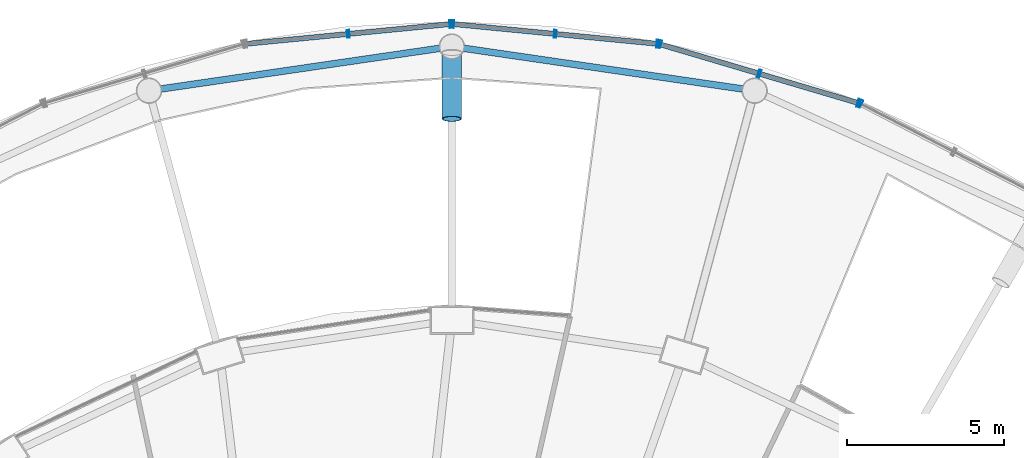
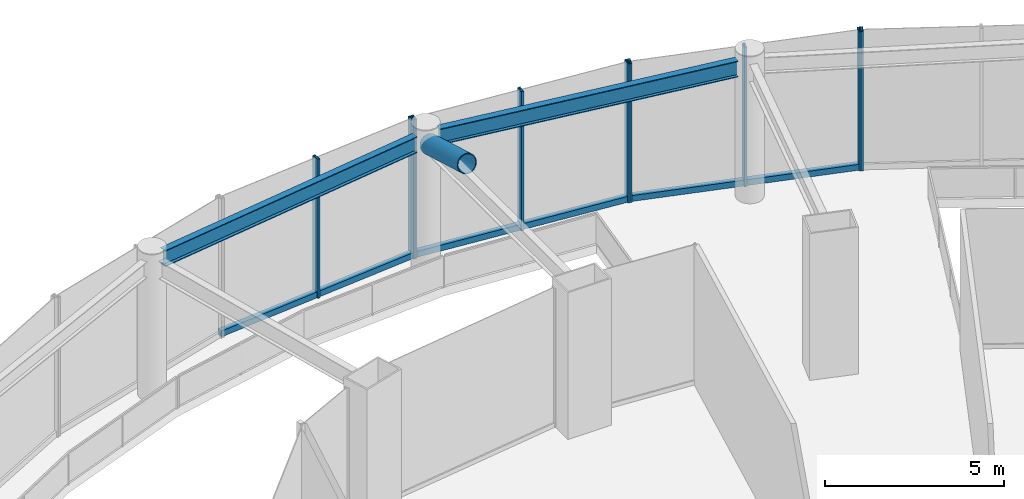
# One storey, part 39 of 52: 13 members, 2 beams, 4 elements without a shape of their own.
"""IFC4 building model written with IfcOpenShell, lengths in metres."""

import ifcopenshell
import ifcopenshell.guid

model = None  # the IFC model being written
_history = None  # IfcOwnerHistory: only IFC2X3 demands one
_inside = {}  # id of a spatial element -> (the spatial element, [elements in it])
_under = {}  # id of a project, library or spatial element -> (it, [spatial elements below it])
_declared = {}  # id of a project -> (the project, [libraries it declares])
_typed = {}  # id of a type object -> (the type object, [elements of that type])
_made_of = {}  # id of a material, layer set ... -> (it, [elements and type objects made of it])


def new_model(schema):
    """Start an empty IFC model of exactly this schema.

    Asked for "IFC4X3", IfcOpenShell would pick the latest addendum, in which some entities
    have other attributes; the version numbers below select the first issue.
    IFC2X3 requires an IfcOwnerHistory on every rooted entity: one is made here for all.
    """
    global model, _history
    if schema == "IFC4X3":
        model = ifcopenshell.file(schema_version=(4, 3, 0, 0))
    else:
        model = ifcopenshell.file(schema=schema)
    _inside.clear()
    _under.clear()
    _declared.clear()
    _typed.clear()
    _made_of.clear()
    _history = None
    if model.schema == "IFC2X3":
        org = make("IfcOrganization", Name="unknown")
        user = make(
            "IfcPersonAndOrganization",
            ThePerson=make("IfcPerson", FamilyName="unknown"),
            TheOrganization=org,
        )
        app = make(
            "IfcApplication",
            ApplicationDeveloper=org,
            Version="unknown",
            ApplicationFullName="unknown",
            ApplicationIdentifier="unknown",
        )
        _history = make(
            "IfcOwnerHistory",
            OwningUser=user,
            OwningApplication=app,
            ChangeAction="ADDED",
            CreationDate=0,
        )
    return model


def make(cls, **values):
    """One entity of the class cls with the attributes given. An attribute that is None is left unset."""
    return model.create_entity(
        cls, **{name: value for name, value in values.items() if value is not None}
    )


def rooted(cls, **values):
    """An entity with a GlobalId (a new one), such as an element, a storey or a relation."""
    return make(cls, GlobalId=ifcopenshell.guid.new(), OwnerHistory=_history, **values)


def si_unit(unit_type, name, prefix=None):
    """IfcSIUnit, for example si_unit("LENGTHUNIT", "METRE", prefix="MILLI")."""
    return make("IfcSIUnit", UnitType=unit_type, Prefix=prefix, Name=name)


def assignment(units):
    """IfcUnitAssignment: the units of a project."""
    return None if units is None else make("IfcUnitAssignment", Units=units)


def point(xyz):
    """IfcCartesianPoint."""
    return None if xyz is None else make("IfcCartesianPoint", Coordinates=xyz)


def direction(xyz):
    """IfcDirection."""
    return None if xyz is None else make("IfcDirection", DirectionRatios=xyz)


def frame(location, z_axis=None, x_axis=None):
    """IfcAxis2Placement3D, a coordinate frame: its origin and axes. An axis left out is left unset."""
    return make(
        "IfcAxis2Placement3D",
        Location=point(location),
        Axis=direction(z_axis),
        RefDirection=direction(x_axis),
    )


def frame_2d(location, x_axis=None):
    """IfcAxis2Placement2D, a coordinate frame in the plane: its origin and x axis."""
    return make(
        "IfcAxis2Placement2D", Location=point(location), RefDirection=direction(x_axis)
    )


def origin():
    """The frame at (0, 0, 0) with its axes left unset."""
    return frame((0.0, 0.0, 0.0))


def origin_2d():
    """The frame at (0, 0) in the plane with its x axis left unset."""
    return frame_2d((0.0, 0.0))


def place(relative_to, where):
    """IfcLocalPlacement: puts the frame where relative to a parent placement (None: the world)."""
    return make(
        "IfcLocalPlacement", PlacementRelTo=relative_to, RelativePlacement=where
    )


def context(
    kind, dimensions, precision=None, world=None, true_north=None, identifier=None
):
    """IfcGeometricRepresentationContext, for example the 3D "Model" context."""
    return make(
        "IfcGeometricRepresentationContext",
        ContextIdentifier=identifier,
        ContextType=kind,
        CoordinateSpaceDimension=dimensions,
        Precision=precision,
        WorldCoordinateSystem=world,
        TrueNorth=true_north,
    )


def subcontext(parent, identifier, kind, view, scale=None):
    """IfcGeometricRepresentationSubContext, for example "Body" below "Model"."""
    return make(
        "IfcGeometricRepresentationSubContext",
        ContextIdentifier=identifier,
        ContextType=kind,
        ParentContext=parent,
        TargetScale=scale,
        TargetView=view,
    )


def project(units=None, contexts=None):
    """IfcProject with its units and contexts."""
    return rooted(
        "IfcProject",
        Name="project",
        RepresentationContexts=contexts,
        UnitsInContext=assignment(units),
    )


def spatial(cls, under=None, at=None, **own):
    """A site, building, storey or space (cls), placed at a placement, below another one or the project."""
    s = rooted(cls, ObjectPlacement=at, **own)
    if under is not None:
        _under.setdefault(under.id(), (under, []))[1].append(s)
    return s


def profile(cls, at=None, kind="AREA", **sizes):
    """A parametric profile (cls). Its sizes go by their IFC names, for example OverallWidth=200.0."""
    return make(cls, ProfileType=kind, Position=at, **sizes)


def hollow_rectangle(**sizes):
    """IfcRectangleHollowProfileDef."""
    return profile("IfcRectangleHollowProfileDef", **sizes)


def hollow_circle(**sizes):
    """IfcCircleHollowProfileDef."""
    return profile("IfcCircleHollowProfileDef", **sizes)


def i_section(**sizes):
    """IfcIShapeProfileDef."""
    return profile("IfcIShapeProfileDef", **sizes)


def extrude(swept, where, along, depth):
    """IfcExtrudedAreaSolid: the profile swept, set in the frame where, extruded along a direction by depth."""
    return make(
        "IfcExtrudedAreaSolid",
        SweptArea=swept,
        Position=where,
        ExtrudedDirection=direction(along),
        Depth=depth,
    )


def shape(context_of_items, identifier, shape_type, items):
    """IfcShapeRepresentation: the items that make up one representation, for example the "Body"."""
    return make(
        "IfcShapeRepresentation",
        ContextOfItems=context_of_items,
        RepresentationIdentifier=identifier,
        RepresentationType=shape_type,
        Items=items,
    )


def material(Name=None, Category=None):
    """IfcMaterial."""
    return make("IfcMaterial", Name=Name, Category=Category)


def layer(
    of_material, thickness, ventilated=None, Name=None, Category=None, Priority=None
):
    """IfcMaterialLayer: one layer of a wall or slab, of a material (None: an air gap)."""
    return make(
        "IfcMaterialLayer",
        Material=of_material,
        LayerThickness=thickness,
        IsVentilated=ventilated,
        Name=Name,
        Category=Category,
        Priority=Priority,
    )


def layer_set(layers, Name=None):
    """IfcMaterialLayerSet."""
    return make("IfcMaterialLayerSet", MaterialLayers=layers, LayerSetName=Name)


def material_profile(
    of_material, cross_section, Name=None, Category=None, Priority=None
):
    """IfcMaterialProfile: a cross section and its material."""
    return make(
        "IfcMaterialProfile",
        Name=Name,
        Material=of_material,
        Profile=cross_section,
        Priority=Priority,
        Category=Category,
    )


def profile_set(profiles, Name=None, composite=None):
    """IfcMaterialProfileSet."""
    return make(
        "IfcMaterialProfileSet",
        Name=Name,
        MaterialProfiles=profiles,
        CompositeProfile=composite,
    )


def made_of(thing, what):
    """Note that an element or type object is made of a material, layer set ...; save() writes the relation."""
    if what is not None:
        _made_of.setdefault(what.id(), (what, []))[1].append(thing)
    return thing


def type_object(cls, material=None, **own):
    """A type object (cls), such as IfcWallType, which elements share."""
    return made_of(rooted(cls, **own), material)


def element(
    cls,
    number,
    at=None,
    inside=None,
    cuts=None,
    type_object=None,
    material=None,
    context=None,
    identifier="Body",
    shape_type=None,
    held_by="IfcProductDefinitionShape",
    body=None,
    shapes=None,
    **own,
):
    """One element of the class cls, such as IfcWall. Its Tag is "e" and its number.

    at: its placement. inside: the storey or other place that contains it. cuts: it is an
    opening in that element (IfcRelVoidsElement). A single representation is given by context,
    identifier, shape_type and body (its items); several are given by shapes. held_by: the class
    of the entity that holds the representations. save() writes the other relations.
    """
    e = rooted(cls, Tag="e%d" % number, ObjectPlacement=at, **own)
    if body is not None:
        shapes = [shape(context, identifier, shape_type, body)]
    if shapes is not None:
        e.Representation = make(held_by, Representations=shapes)
    if inside is not None:
        _inside.setdefault(inside.id(), (inside, []))[1].append(e)
    if cuts is not None:
        rooted(
            "IfcRelVoidsElement", RelatingBuildingElement=cuts, RelatedOpeningElement=e
        )
    if type_object is not None:
        _typed.setdefault(type_object.id(), (type_object, []))[1].append(e)
    return made_of(e, material)


def aggregate(whole, parts):
    """IfcRelAggregates: a whole, such as a stair, and the parts it consists of."""
    return rooted("IfcRelAggregates", RelatingObject=whole, RelatedObjects=parts)


def save(model, path):
    """Write the relations noted so far, then the file.

    IfcRelAggregates (storeys below a building ...), IfcRelContainedInSpatialStructure (elements
    in a storey), IfcRelDefinesByType, IfcRelAssociatesMaterial and IfcRelDeclares: one each for
    every whole, place, type object, material and project.
    """
    for whole, parts in _under.values():
        aggregate(whole, parts)
    for where, things in _inside.values():
        rooted(
            "IfcRelContainedInSpatialStructure",
            RelatedElements=things,
            RelatingStructure=where,
        )
    for kind, things in _typed.values():
        rooted("IfcRelDefinesByType", RelatedObjects=things, RelatingType=kind)
    for what, things in _made_of.values():
        rooted("IfcRelAssociatesMaterial", RelatedObjects=things, RelatingMaterial=what)
    for by, libraries in _declared.values():
        rooted("IfcRelDeclares", RelatingContext=by, RelatedDefinitions=libraries)
    model.write(path)


model = new_model("IFC4")

# Units and contexts
model_context = context("Model", 3, precision=1e-05, world=origin(), true_north=direction((0.0, 1.0)))
body_context = subcontext(model_context, "Body", "Model", "MODEL_VIEW")
ifc_project = project(units=[si_unit("LENGTHUNIT", "METRE"), si_unit("AREAUNIT", "SQUARE_METRE"), si_unit("VOLUMEUNIT", "CUBIC_METRE"), si_unit("PLANEANGLEUNIT", "RADIAN"), si_unit("MASSUNIT", "GRAM", prefix="KILO")], contexts=[model_context])

# Site, building, storey
site_placement = place(None, origin())
site = spatial("IfcSite", under=ifc_project, at=site_placement, CompositionType="ELEMENT")
building_placement = place(site_placement, origin())
building = spatial("IfcBuilding", under=site, at=building_placement, Name="Nagisa Residences", CompositionType="ELEMENT")
storey_placement = place(building_placement, frame((0.0, 0.0, 22.0)))
storey = spatial("IfcBuildingStorey", under=building, at=storey_placement, Name="L04", CompositionType="ELEMENT", Elevation=22.0)

# Beams
ifc_material_1 = material(Name="Steel ASTM A572 Gr 50", Category="steel")
ifc_material_profile_1 = material_profile(ifc_material_1, i_section(OverallWidth=0.214111328125, OverallDepth=0.549072265625, WebThickness=0.0146484375, FlangeThickness=0.023681640625, at=origin_2d()), Name="W530x138")
ifc_profile_set_1 = profile_set([ifc_material_profile_1], Name="Steel ASTM A572 Gr 50")
beam_type = type_object("IfcBeamType", Name="Atrium ring beam W530x138", PredefinedType="BEAM", material=ifc_profile_set_1)
beam_1_placement = place(storey_placement, frame((12.845703125, 39.851806640625, 4.4755859375), z_axis=(-0.989534278419, 0.144297996638, 0.0), x_axis=(-0.144297996638, -0.989534278419, 0.0)))
element("IfcBeam", 1, at=beam_1_placement, inside=storey, type_object=beam_type, Name="beam:L04:rab06", PredefinedType="BEAM", context=body_context, shape_type="SweptSolid", body=[
    extrude(i_section(OverallWidth=0.214111328125, OverallDepth=0.549072265625, WebThickness=0.0146484375, FlangeThickness=0.023681640625, at=origin_2d()), origin(), (0.0, 0.0, 1.0), 8.95703125),
])
beam_2_placement = place(storey_placement, frame((3.217529296875, 41.144287109375, 4.4755859375), z_axis=(-0.989533710855, -0.144301888694, 0.0), x_axis=(0.144301888694, -0.989533710855, 0.0)))
element("IfcBeam", 2, at=beam_2_placement, inside=storey, type_object=beam_type, Name="beam:L04:rab07", PredefinedType="BEAM", context=body_context, shape_type="SweptSolid", body=[
    extrude(i_section(OverallWidth=0.214111328125, OverallDepth=0.549072265625, WebThickness=0.0146484375, FlangeThickness=0.023681640625, at=origin_2d()), origin(), (0.0, 0.0, 1.0), 8.956787109375),
])

# Curtain wall, member
ifc_material_2 = material(Name="Stainless steel curtain wall system", Category="steel")
ifc_layer = layer(ifc_material_2, 0.159912109375)
ifc_layer_set = layer_set([ifc_layer], Name="CW3 CURTAIN WALL")
curtain_wall_type = type_object("IfcCurtainWallType", Name="CW3 CURTAIN WALL", PredefinedType="NOTDEFINED", material=ifc_layer_set)
curtain_wall_1_placement = place(storey_placement, origin())
curtain_wall_1 = element("IfcCurtainWall", 3, at=curtain_wall_1_placement, inside=storey, type_object=curtain_wall_type, Name="cw:CW3:L04:06", PredefinedType="NOTDEFINED")
ifc_material_3 = material(Name="Stainless steel", Category="steel")
ifc_material_profile_2 = material_profile(ifc_material_3, hollow_rectangle(XDim=0.25, YDim=0.080078125, WallThickness=0.008056640625, at=origin_2d()), Name="CW3 MULLION 250x80")
ifc_profile_set_2 = profile_set([ifc_material_profile_2], Name="Stainless steel")
member_type_1 = type_object("IfcMemberType", Name="CW3 MULLION 250x80", PredefinedType="MULLION", material=ifc_profile_set_2)
member_1_placement = place(storey_placement, frame((16.595703125, 39.377685546875, 0.0), z_axis=(0.0, 0.0, 1.0), x_axis=(-0.45812598783, -0.888887270285, 0.0)))
member_1 = element("IfcMember", 4, at=member_1_placement, type_object=member_type_1, Name="CW3 mullion", PredefinedType="MULLION", context=body_context, shape_type="SweptSolid", body=[
    extrude(hollow_rectangle(XDim=0.25, YDim=0.080078125, WallThickness=0.008056640625, at=origin_2d()), origin(), (0.0, 0.0, 1.0), 4.739990234375),
])
aggregate(curtain_wall_1, [member_1])

# Curtain wall, members
curtain_wall_2_placement = place(storey_placement, origin())
curtain_wall_2 = element("IfcCurtainWall", 5, at=curtain_wall_2_placement, inside=storey, type_object=curtain_wall_type, Name="cw:CW3:L04:07", PredefinedType="NOTDEFINED")
member_2_placement = place(storey_placement, frame((16.53564453125, 39.40185546875, 0.0), z_axis=(0.0, 0.0, 1.0), x_axis=(-0.283963226669, -0.958835171393, 0.0)))
member_2 = element("IfcMember", 6, at=member_2_placement, type_object=member_type_1, Name="CW3 mullion", PredefinedType="MULLION", context=body_context, shape_type="SweptSolid", body=[
    extrude(hollow_rectangle(XDim=0.25, YDim=0.080078125, WallThickness=0.008056640625, at=origin_2d()), origin(), (0.0, 0.0, 1.0), 4.739990234375),
])
member_3_placement = place(storey_placement, frame((13.375, 40.337890625, 0.0), z_axis=(0.0, 0.0, 1.0), x_axis=(-0.283963226669, -0.958835171393, 0.0)))
member_3 = element("IfcMember", 7, at=member_3_placement, type_object=member_type_1, Name="CW3 mullion", PredefinedType="MULLION", context=body_context, shape_type="SweptSolid", body=[
    extrude(hollow_rectangle(XDim=0.25, YDim=0.080078125, WallThickness=0.008056640625, at=origin_2d()), origin(), (0.0, 0.0, 1.0), 4.739990234375),
])
member_4_placement = place(storey_placement, frame((10.21435546875, 41.27392578125, 0.0), z_axis=(0.0, 0.0, 1.0), x_axis=(-0.283963226669, -0.958835171393, 0.0)))
member_4 = element("IfcMember", 8, at=member_4_placement, type_object=member_type_1, Name="CW3 mullion", PredefinedType="MULLION", context=body_context, shape_type="SweptSolid", body=[
    extrude(hollow_rectangle(XDim=0.25, YDim=0.080078125, WallThickness=0.008056640625, at=origin_2d()), origin(), (0.0, 0.0, 1.0), 4.739990234375),
])

curtain_wall_3_placement = place(storey_placement, origin())
curtain_wall_3 = element("IfcCurtainWall", 9, at=curtain_wall_3_placement, inside=storey, type_object=curtain_wall_type, Name="cw:CW3:L04:08", PredefinedType="NOTDEFINED")
member_5_placement = place(storey_placement, frame((10.151123046875, 41.2861328125, 0.0), z_axis=(0.0, 0.0, 1.0), x_axis=(-0.096249055035, -0.995357282289, 0.0)))
member_5 = element("IfcMember", 10, at=member_5_placement, type_object=member_type_1, Name="CW3 mullion", PredefinedType="MULLION", context=body_context, shape_type="SweptSolid", body=[
    extrude(hollow_rectangle(XDim=0.25, YDim=0.080078125, WallThickness=0.008056640625, at=origin_2d()), origin(), (0.0, 0.0, 1.0), 4.739990234375),
])
member_6_placement = place(storey_placement, frame((6.8916015625, 41.601318359375, 0.0), z_axis=(0.0, 0.0, 1.0), x_axis=(-0.096249055035, -0.995357282289, 0.0)))
member_6 = element("IfcMember", 11, at=member_6_placement, type_object=member_type_1, Name="CW3 mullion", PredefinedType="MULLION", context=body_context, shape_type="SweptSolid", body=[
    extrude(hollow_rectangle(XDim=0.25, YDim=0.080078125, WallThickness=0.008056640625, at=origin_2d()), origin(), (0.0, 0.0, 1.0), 4.739990234375),
])
member_7_placement = place(storey_placement, frame((3.632080078125, 41.91650390625, 0.0), z_axis=(0.0, 0.0, 1.0), x_axis=(-0.096249055035, -0.995357282289, 0.0)))
member_7 = element("IfcMember", 12, at=member_7_placement, type_object=member_type_1, Name="CW3 mullion", PredefinedType="MULLION", context=body_context, shape_type="SweptSolid", body=[
    extrude(hollow_rectangle(XDim=0.25, YDim=0.080078125, WallThickness=0.008056640625, at=origin_2d()), origin(), (0.0, 0.0, 1.0), 4.739990234375),
])

curtain_wall_4_placement = place(storey_placement, origin())
curtain_wall_4 = element("IfcCurtainWall", 13, at=curtain_wall_4_placement, inside=storey, type_object=curtain_wall_type, Name="cw:CW3:L04:09", PredefinedType="NOTDEFINED")
member_8_placement = place(storey_placement, frame((3.56787109375, 41.91650390625, 0.0), z_axis=(0.0, 0.0, 1.0), x_axis=(0.096249055035, -0.995357282289, 0.0)))
member_8 = element("IfcMember", 14, at=member_8_placement, type_object=member_type_1, Name="CW3 mullion", PredefinedType="MULLION", context=body_context, shape_type="SweptSolid", body=[
    extrude(hollow_rectangle(XDim=0.25, YDim=0.080078125, WallThickness=0.008056640625, at=origin_2d()), origin(), (0.0, 0.0, 1.0), 4.739990234375),
])
member_9_placement = place(storey_placement, frame((0.308349609375, 41.601318359375, 0.0), z_axis=(0.0, 0.0, 1.0), x_axis=(0.096249055035, -0.995357282289, 0.0)))
member_9 = element("IfcMember", 15, at=member_9_placement, type_object=member_type_1, Name="CW3 mullion", PredefinedType="MULLION", context=body_context, shape_type="SweptSolid", body=[
    extrude(hollow_rectangle(XDim=0.25, YDim=0.080078125, WallThickness=0.008056640625, at=origin_2d()), origin(), (0.0, 0.0, 1.0), 4.739990234375),
])

# Member
ifc_material_4 = material(Name="Stainless steel", Category="steel")
ifc_material_profile_3 = material_profile(ifc_material_4, hollow_rectangle(XDim=0.159912109375, YDim=0.199951171875, WallThickness=0.008056640625, at=origin_2d()), Name="CW3 TRANSOM 160x200")
ifc_profile_set_3 = profile_set([ifc_material_profile_3], Name="Stainless steel")
member_type_2 = type_object("IfcMemberType", Name="CW3 TRANSOM 160x200", PredefinedType="USERDEFINED", material=ifc_profile_set_3)
member_10_placement = place(storey_placement, frame((16.573974609375, 39.390380859375, 0.10009765625), z_axis=(-0.958835384932, 0.283962505627, 0.0), x_axis=(-0.283962505627, -0.958835384932, 0.0)))
member_10 = element("IfcMember", 16, at=member_10_placement, type_object=member_type_2, Name="CW3 transom", ObjectType="TRANSOM", PredefinedType="USERDEFINED", context=body_context, shape_type="SweptSolid", body=[
    extrude(hollow_rectangle(XDim=0.159912109375, YDim=0.199951171875, WallThickness=0.008056640625, at=origin_2d()), origin(), (0.0, 0.0, 1.0), 6.672607421875),
])

aggregate(curtain_wall_2, [member_2, member_3, member_4, member_10])

member_11_placement = place(storey_placement, frame((10.19091796875, 41.2822265625, 0.10009765625), z_axis=(-0.995355706687, 0.096265347687, 0.0), x_axis=(-0.096265347687, -0.995355706687, 0.0)))
member_11 = element("IfcMember", 17, at=member_11_placement, type_object=member_type_2, Name="CW3 transom", ObjectType="TRANSOM", PredefinedType="USERDEFINED", context=body_context, shape_type="SweptSolid", body=[
    extrude(hollow_rectangle(XDim=0.159912109375, YDim=0.199951171875, WallThickness=0.008056640625, at=origin_2d()), origin(), (0.0, 0.0, 1.0), 6.62939453125),
])

aggregate(curtain_wall_3, [member_5, member_6, member_7, member_11])

member_12_placement = place(storey_placement, frame((3.607666015625, 41.92041015625, 0.10009765625), z_axis=(-0.995355706687, -0.096265347687, 0.0), x_axis=(0.096265347687, -0.995355706687, 0.0)))
member_12 = element("IfcMember", 18, at=member_12_placement, type_object=member_type_2, Name="CW3 transom", ObjectType="TRANSOM", PredefinedType="USERDEFINED", context=body_context, shape_type="SweptSolid", body=[
    extrude(hollow_rectangle(XDim=0.159912109375, YDim=0.199951171875, WallThickness=0.008056640625, at=origin_2d()), origin(), (0.0, 0.0, 1.0), 6.62939453125),
])

aggregate(curtain_wall_4, [member_8, member_9, member_12])

ifc_material_5 = material(Name="Steel ASTM A572 Gr 65", Category="steel")
ifc_material_profile_4 = material_profile(ifc_material_5, hollow_circle(Radius=0.304931640625, WallThickness=0.02490234375, at=origin_2d()), Name="CHS 610x25")
ifc_profile_set_4 = profile_set([ifc_material_profile_4], Name="Steel ASTM A572 Gr 65")
member_type_3 = type_object("IfcMemberType", Name="Cage strut CHS 610x25", PredefinedType="STRUT", material=ifc_profile_set_4)
member_13_placement = place(storey_placement, frame((3.60009765625, 38.89990234375, 5.0), z_axis=(0.0, 0.961515511102, -0.274750654067), x_axis=(-1.0, 0.0, 0.0)))
element("IfcMember", 19, at=member_13_placement, inside=storey, type_object=member_type_3, Name="mem:L04:cg1tie04", PredefinedType="STRUT", context=body_context, shape_type="SweptSolid", body=[
    extrude(hollow_circle(Radius=0.304931640625, WallThickness=0.02490234375, at=origin_2d()), origin(), (0.0, 0.0, 1.0), 2.18408203125),
])

save(model, "model.ifc")
